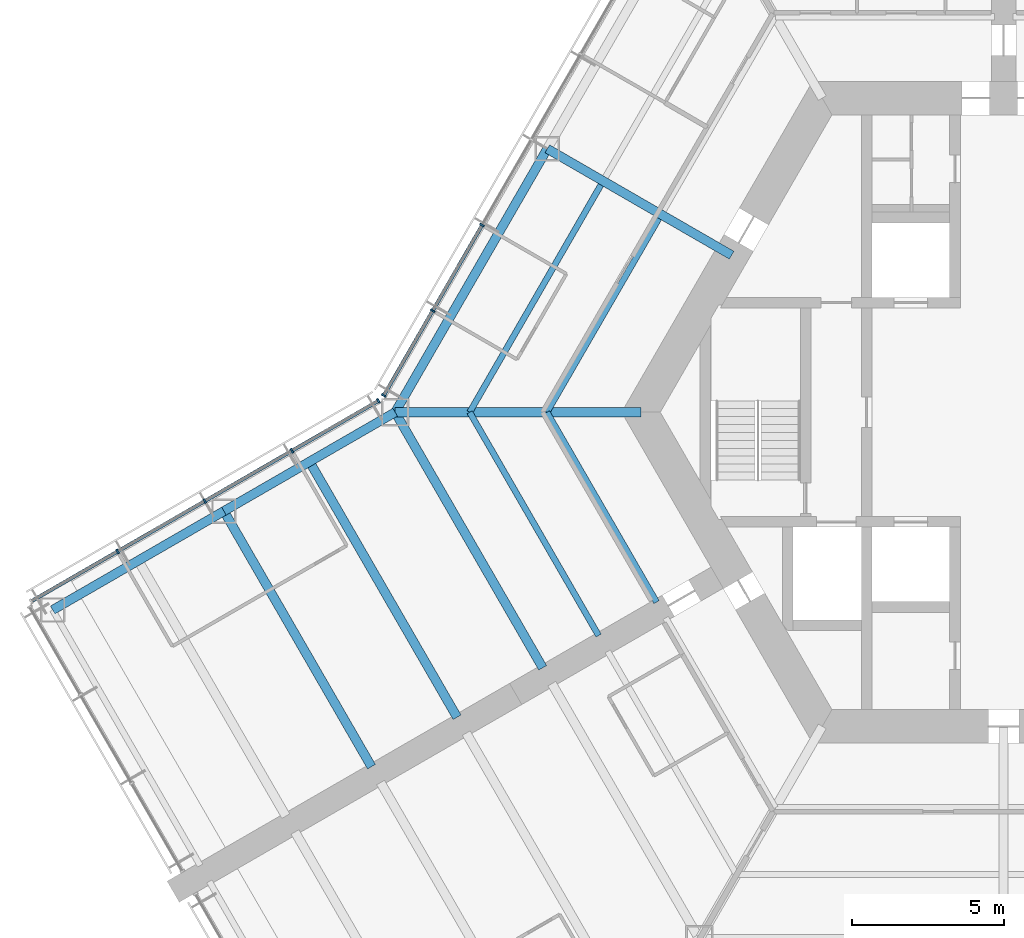
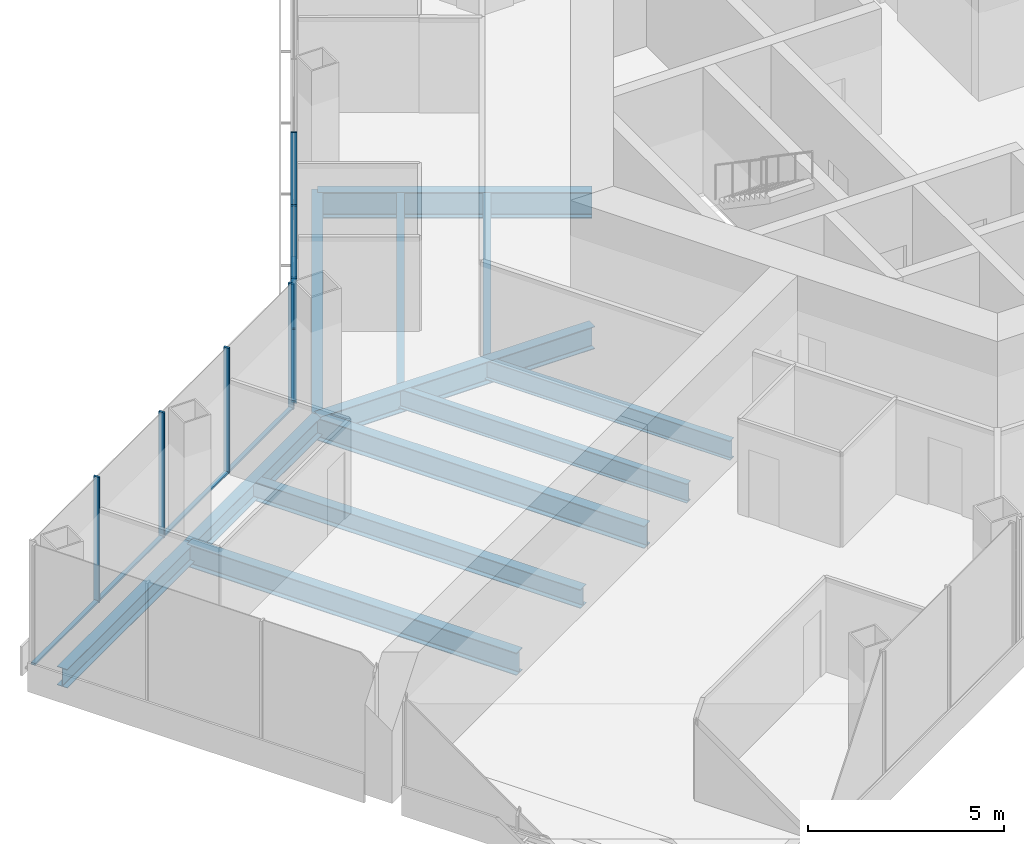
# One storey, part 4 of 18: 13 members, 12 beams, 2 elements without a shape of their own.
"""IFC4 building model written with IfcOpenShell, lengths in metres."""

from ifc_helpers import new_model, si_unit, direction, frame, origin, origin_2d, place, context, subcontext, project, spatial, rectangle, i_section, extrude, material, material_profile, profile_set, type_object, element, aggregate, save


model = new_model("IFC4")

# Units and contexts
model_context = context("Model", 3, precision=1e-05, world=origin(), true_north=direction((0.0, 1.0)))
body_context = subcontext(model_context, "Body", "Model", "MODEL_VIEW")
ifc_project = project(units=[si_unit("LENGTHUNIT", "METRE"), si_unit("AREAUNIT", "SQUARE_METRE"), si_unit("VOLUMEUNIT", "CUBIC_METRE"), si_unit("PLANEANGLEUNIT", "RADIAN"), si_unit("MASSUNIT", "GRAM", prefix="KILO")], contexts=[model_context])

# Site, building, storey
site_placement = place(None, origin())
site = spatial("IfcSite", under=ifc_project, at=site_placement, CompositionType="ELEMENT")
building_placement = place(site_placement, origin())
building = spatial("IfcBuilding", under=site, at=building_placement, Name="Kasaneha Research Tower", CompositionType="ELEMENT")
storey_placement = place(building_placement, frame((0.0, 0.0, 65.10009765625)))
storey = spatial("IfcBuildingStorey", under=building, at=storey_placement, Name="L16", CompositionType="ELEMENT", Elevation=65.10009765625)

# Beams
ifc_material_1 = material(Name="Steel SN490B", Category="steel")
ifc_material_profile_1 = material_profile(ifc_material_1, i_section(OverallWidth=0.199951171875, OverallDepth=0.60009765625, WebThickness=0.010986328125, FlangeThickness=0.01708984375, FilletRadius=0.012939453125, at=origin_2d()), Name="H-600x200x11x17")
ifc_profile_set_1 = profile_set([ifc_material_profile_1], Name="Steel SN490B")
beam_type_1 = type_object("IfcBeamType", Name="B1-3 secondary beam H-600x200x11x17", PredefinedType="JOIST", material=ifc_profile_set_1)
beam_1_placement = place(storey_placement, frame((-15.010986328125, 0.0, -0.4501953125), z_axis=(0.499994443168, 0.866028611999, 0.0), x_axis=(-0.866028611999, 0.499994443168, 0.0)))
element("IfcBeam", 1, at=beam_1_placement, inside=storey, type_object=beam_type_1, Name="Secondary beam RS150R1 L16", PredefinedType="JOIST", context=body_context, shape_type="SweptSolid", body=[
    extrude(i_section(OverallWidth=0.199951171875, OverallDepth=0.60009765625, WebThickness=0.010986328125, FlangeThickness=0.01708984375, FilletRadius=0.012939453125, at=origin_2d()), origin(), (0.0, 0.0, 1.0), 7.35546875),
])
beam_2_placement = place(storey_placement, frame((-17.551513671875, 0.0, -0.4501953125), z_axis=(0.5000050195, 0.866022505755, 0.0), x_axis=(-0.866022505755, 0.5000050195, 0.0)))
element("IfcBeam", 2, at=beam_2_placement, inside=storey, type_object=beam_type_1, Name="Secondary beam RS150R2 L16", PredefinedType="JOIST", context=body_context, shape_type="SweptSolid", body=[
    extrude(i_section(OverallWidth=0.199951171875, OverallDepth=0.60009765625, WebThickness=0.010986328125, FlangeThickness=0.01708984375, FilletRadius=0.012939453125, at=origin_2d()), origin(), (0.0, 0.0, 1.0), 8.6259765625),
])
beam_3_placement = place(storey_placement, frame((-15.010986328125, 0.0, -0.4501953125), z_axis=(0.499972735707, -0.866041144259, 0.0), x_axis=(0.866041144259, 0.499972735707, 0.0)))
element("IfcBeam", 3, at=beam_3_placement, inside=storey, type_object=beam_type_1, Name="Secondary beam RS210L1 L16", PredefinedType="JOIST", context=body_context, shape_type="SweptSolid", body=[
    extrude(i_section(OverallWidth=0.199951171875, OverallDepth=0.60009765625, WebThickness=0.010986328125, FlangeThickness=0.01708984375, FilletRadius=0.012939453125, at=origin_2d()), origin(), (0.0, 0.0, 1.0), 7.20556640625),
])
beam_4_placement = place(storey_placement, frame((-17.551513671875, 0.0, -0.4501953125), z_axis=(0.500020829043, -0.866013377797, 0.0), x_axis=(0.866013377797, 0.500020829043, 0.0)))
element("IfcBeam", 4, at=beam_4_placement, inside=storey, type_object=beam_type_1, Name="Secondary beam RS210L2 L16", PredefinedType="JOIST", context=body_context, shape_type="SweptSolid", body=[
    extrude(i_section(OverallWidth=0.199951171875, OverallDepth=0.60009765625, WebThickness=0.010986328125, FlangeThickness=0.01708984375, FilletRadius=0.012939453125, at=origin_2d()), origin(), (0.0, 0.0, 1.0), 8.475830078125),
])
ifc_material_2 = material(Name="Steel SN490B", Category="steel")
ifc_material_profile_2 = material_profile(ifc_material_2, i_section(OverallWidth=0.300048828125, OverallDepth=0.58203125, WebThickness=0.011962890625, FlangeThickness=0.01708984375, FilletRadius=0.012939453125, at=origin_2d()), Name="H-582x300x12x17")
ifc_profile_set_2 = profile_set([ifc_material_profile_2], Name="Steel SN490B")
beam_type_2 = type_object("IfcBeamType", Name="B2-3 secondary beam H-582x300x12x17", PredefinedType="JOIST", material=ifc_profile_set_2)
beam_5_placement = place(storey_placement, frame((-22.814697265625, -1.625, -0.441162109375), z_axis=(0.500010041276, -0.866019606374, 0.0), x_axis=(0.866019606374, 0.500010041276, 0.0)))
element("IfcBeam", 5, at=beam_5_placement, inside=storey, type_object=beam_type_2, Name="Secondary beam WBBP1 L16", PredefinedType="JOIST", context=body_context, shape_type="SweptSolid", body=[
    extrude(i_section(OverallWidth=0.300048828125, OverallDepth=0.58203125, WebThickness=0.011962890625, FlangeThickness=0.01708984375, FilletRadius=0.012939453125, at=origin_2d()), origin(), (0.0, 0.0, 1.0), 9.699951171875),
])

# Curtain wall, members
ifc_material_3 = material(Name="Glass and aluminium", Category="aluminium")
curtain_wall_type = type_object("IfcCurtainWallType", Name="Low-rise office curtain wall", PredefinedType="USERDEFINED", material=ifc_material_3)
curtain_wall_1_placement = place(storey_placement, origin())
curtain_wall_1 = element("IfcCurtainWall", 6, at=curtain_wall_1_placement, inside=storey, type_object=curtain_wall_type, Name="CW-O1 L16 run 12a", ObjectType="UNITISED CURTAIN WALL", PredefinedType="USERDEFINED")
ifc_material_4 = material(Name="Aluminium 6063-T6", Category="aluminium")
ifc_material_profile_3 = material_profile(ifc_material_4, rectangle(XDim=0.06005859375, YDim=0.159912109375, at=origin_2d()), Name="CW-O1 mullion 60x160")
ifc_profile_set_3 = profile_set([ifc_material_profile_3], Name="Aluminium 6063-T6")
member_type_1 = type_object("IfcMemberType", Name="CW-O1 mullion", PredefinedType="MULLION", material=ifc_profile_set_3)
member_1_placement = place(storey_placement, frame((-17.142822265625, 6.148681640625, 0.0), z_axis=(0.0, 0.0, 1.0), x_axis=(-0.49999996188, -0.866025425793, 0.0)))
member_1 = element("IfcMember", 7, at=member_1_placement, type_object=member_type_1, Name="CW-O1 mullion 5", PredefinedType="MULLION", context=body_context, shape_type="SweptSolid", body=[
    extrude(rectangle(XDim=0.06005859375, YDim=0.159912109375, at=origin_2d()), origin(), (0.0, 0.0, 1.0), 3.89990234375),
])
member_2_placement = place(storey_placement, frame((-18.76611328125, 3.33740234375, 0.0), z_axis=(0.0, 0.0, 1.0), x_axis=(-0.49999996188, -0.866025425793, 0.0)))
member_2 = element("IfcMember", 8, at=member_2_placement, type_object=member_type_1, Name="CW-O1 mullion 6", PredefinedType="MULLION", context=body_context, shape_type="SweptSolid", body=[
    extrude(rectangle(XDim=0.06005859375, YDim=0.159912109375, at=origin_2d()), origin(), (0.0, 0.0, 1.0), 3.89990234375),
])
member_3_placement = place(storey_placement, frame((-20.374267578125, 0.5517578125, 0.0), z_axis=(0.0, 0.0, 1.0), x_axis=(-0.49999996188, -0.866025425793, 0.0)))
member_3 = element("IfcMember", 9, at=member_3_placement, type_object=member_type_1, Name="CW-O1 mullion 7", PredefinedType="MULLION", context=body_context, shape_type="SweptSolid", body=[
    extrude(rectangle(XDim=0.06005859375, YDim=0.159912109375, at=origin_2d()), origin(), (0.0, 0.0, 1.0), 3.89990234375),
])

curtain_wall_2_placement = place(storey_placement, origin())
curtain_wall_2 = element("IfcCurtainWall", 10, at=curtain_wall_2_placement, inside=storey, type_object=curtain_wall_type, Name="CW-O1 L16 run 13a", ObjectType="UNITISED CURTAIN WALL", PredefinedType="USERDEFINED")
member_4_placement = place(storey_placement, frame((-20.5517578125, 0.374267578125, 0.0), z_axis=(0.0, 0.0, 1.0), x_axis=(-0.866025411464, -0.499999986699, 0.0)))
member_4 = element("IfcMember", 11, at=member_4_placement, type_object=member_type_1, Name="CW-O1 mullion 1", PredefinedType="MULLION", context=body_context, shape_type="SweptSolid", body=[
    extrude(rectangle(XDim=0.06005859375, YDim=0.159912109375, at=origin_2d()), origin(), (0.0, 0.0, 1.0), 3.89990234375),
])
member_5_placement = place(storey_placement, frame((-23.39208984375, -1.265625, 0.0), z_axis=(0.0, 0.0, 1.0), x_axis=(-0.866025411464, -0.499999986699, 0.0)))
member_5 = element("IfcMember", 12, at=member_5_placement, type_object=member_type_1, Name="CW-O1 mullion 2", PredefinedType="MULLION", context=body_context, shape_type="SweptSolid", body=[
    extrude(rectangle(XDim=0.06005859375, YDim=0.159912109375, at=origin_2d()), origin(), (0.0, 0.0, 1.0), 3.89990234375),
])
member_6_placement = place(storey_placement, frame((-26.258544921875, -2.920654296875, 0.0), z_axis=(0.0, 0.0, 1.0), x_axis=(-0.866025411464, -0.499999986699, 0.0)))
member_6 = element("IfcMember", 13, at=member_6_placement, type_object=member_type_1, Name="CW-O1 mullion 3", PredefinedType="MULLION", context=body_context, shape_type="SweptSolid", body=[
    extrude(rectangle(XDim=0.06005859375, YDim=0.159912109375, at=origin_2d()), origin(), (0.0, 0.0, 1.0), 3.89990234375),
])
member_7_placement = place(storey_placement, frame((-29.125, -4.575439453125, 0.0), z_axis=(0.0, 0.0, 1.0), x_axis=(-0.866025411464, -0.499999986699, 0.0)))
member_7 = element("IfcMember", 14, at=member_7_placement, type_object=member_type_1, Name="CW-O1 mullion 4", PredefinedType="MULLION", context=body_context, shape_type="SweptSolid", body=[
    extrude(rectangle(XDim=0.06005859375, YDim=0.159912109375, at=origin_2d()), origin(), (0.0, 0.0, 1.0), 3.89990234375),
])

# Member
ifc_material_5 = material(Name="Aluminium 6063-T6", Category="aluminium")
ifc_material_profile_4 = material_profile(ifc_material_5, rectangle(XDim=0.1201171875, YDim=0.06005859375, at=origin_2d()), Name="CW-O1 transom 120x60")
ifc_profile_set_4 = profile_set([ifc_material_profile_4], Name="Aluminium 6063-T6")
member_type_2 = type_object("IfcMemberType", Name="CW-O1 transom", PredefinedType="USERDEFINED", material=ifc_profile_set_4)
member_8_placement = place(storey_placement, frame((-17.15771484375, 6.122802734375, 0.02978515625), z_axis=(-0.500012062035, -0.866018439653, 0.0), x_axis=(0.866018439653, -0.500012062035, 0.0)))
member_8 = element("IfcMember", 15, at=member_8_placement, type_object=member_type_2, Name="CW-O1 transom 5", ObjectType="TRANSOM", PredefinedType="USERDEFINED", context=body_context, shape_type="SweptSolid", body=[
    extrude(rectangle(XDim=0.1201171875, YDim=0.06005859375, at=origin_2d()), origin(), (0.0, 0.0, 1.0), 3.1865234375),
])

member_9_placement = place(storey_placement, frame((-18.781005859375, 3.311279296875, 0.02978515625), z_axis=(-0.499999210213, -0.866025859768, 0.0), x_axis=(0.866025859768, -0.499999210213, 0.0)))
member_9 = element("IfcMember", 16, at=member_9_placement, type_object=member_type_2, Name="CW-O1 transom 6", ObjectType="TRANSOM", PredefinedType="USERDEFINED", context=body_context, shape_type="SweptSolid", body=[
    extrude(rectangle(XDim=0.1201171875, YDim=0.06005859375, at=origin_2d()), origin(), (0.0, 0.0, 1.0), 3.15625),
])

aggregate(curtain_wall_1, [member_1, member_2, member_3, member_8, member_9])

member_10_placement = place(storey_placement, frame((-20.577880859375, 0.359130859375, 0.02978515625), z_axis=(-0.866022692473, -0.500004696101, 0.0), x_axis=(0.500004696101, -0.866022692473, 0.0)))
member_10 = element("IfcMember", 17, at=member_10_placement, type_object=member_type_2, Name="CW-O1 transom 1", ObjectType="TRANSOM", PredefinedType="USERDEFINED", context=body_context, shape_type="SweptSolid", body=[
    extrude(rectangle(XDim=0.1201171875, YDim=0.06005859375, at=origin_2d()), origin(), (0.0, 0.0, 1.0), 3.2197265625),
])

member_11_placement = place(storey_placement, frame((-23.418212890625, -1.28076171875, 0.02978515625), z_axis=(-0.86604797581, -0.499960902066, 0.0), x_axis=(0.499960902066, -0.86604797581, 0.0)))
member_11 = element("IfcMember", 18, at=member_11_placement, type_object=member_type_2, Name="CW-O1 transom 2", ObjectType="TRANSOM", PredefinedType="USERDEFINED", context=body_context, shape_type="SweptSolid", body=[
    extrude(rectangle(XDim=0.1201171875, YDim=0.06005859375, at=origin_2d()), origin(), (0.0, 0.0, 1.0), 3.249755859375),
])

member_12_placement = place(storey_placement, frame((-26.28466796875, -2.935546875, 0.02978515625), z_axis=(-0.86599666273, -0.500049777664, 0.0), x_axis=(0.500049777664, -0.86599666273, 0.0)))
member_12 = element("IfcMember", 19, at=member_12_placement, type_object=member_type_2, Name="CW-O1 transom 3", ObjectType="TRANSOM", PredefinedType="USERDEFINED", context=body_context, shape_type="SweptSolid", body=[
    extrude(rectangle(XDim=0.1201171875, YDim=0.06005859375, at=origin_2d()), origin(), (0.0, 0.0, 1.0), 3.249755859375),
])

member_13_placement = place(storey_placement, frame((-29.15087890625, -4.590576171875, 0.02978515625), z_axis=(-0.866041647767, -0.499971863542, 0.0), x_axis=(0.499971863542, -0.866041647767, 0.0)))
member_13 = element("IfcMember", 20, at=member_13_placement, type_object=member_type_2, Name="CW-O1 transom 4", ObjectType="TRANSOM", PredefinedType="USERDEFINED", context=body_context, shape_type="SweptSolid", body=[
    extrude(rectangle(XDim=0.1201171875, YDim=0.06005859375, at=origin_2d()), origin(), (0.0, 0.0, 1.0), 3.219970703125),
])

aggregate(curtain_wall_2, [member_4, member_5, member_6, member_7, member_10, member_11, member_12, member_13])

# Beams
ifc_material_6 = material(Name="Steel SN490B", Category="steel")
ifc_material_profile_5 = material_profile(ifc_material_6, i_section(OverallWidth=0.300048828125, OverallDepth=0.699951171875, WebThickness=0.012939453125, FlangeThickness=0.02392578125, FilletRadius=0.01806640625, at=origin_2d()), Name="H-700x300x13x24")
ifc_profile_set_5 = profile_set([ifc_material_profile_5], Name="Steel SN490B")
beam_type_3 = type_object("IfcBeamType", Name="G1-3 radial girder H-700x300x13x24", PredefinedType="BEAM", material=ifc_profile_set_5)
beam_6_placement = place(storey_placement, frame((-11.92236328125, 0.0, -0.5), z_axis=(-1.0, 0.0, 0.0), x_axis=(0.0, -1.0, 0.0)))
element("IfcBeam", 21, at=beam_6_placement, inside=storey, type_object=beam_type_3, Name="Radial girder RV180 L16", PredefinedType="BEAM", context=body_context, shape_type="SweptSolid", body=[
    extrude(i_section(OverallWidth=0.300048828125, OverallDepth=0.699951171875, WebThickness=0.012939453125, FlangeThickness=0.02392578125, FilletRadius=0.01806640625, at=origin_2d()), origin(), (0.0, 0.0, 1.0), 8.07763671875),
])
ifc_material_7 = material(Name="Steel SN490B", Category="steel")
ifc_material_profile_6 = material_profile(ifc_material_7, i_section(OverallWidth=0.300048828125, OverallDepth=0.800048828125, WebThickness=0.013916015625, FlangeThickness=0.02587890625, FilletRadius=0.01806640625, at=origin_2d()), Name="H-800x300x14x26")
ifc_profile_set_6 = profile_set([ifc_material_profile_6], Name="Steel SN490B")
beam_type_4 = type_object("IfcBeamType", Name="G2-3 radial girder H-800x300x14x26", PredefinedType="BEAM", material=ifc_profile_set_6)
beam_7_placement = place(storey_placement, frame((-8.941650390625, 5.16259765625, -0.550048828125), z_axis=(-0.866039713508, 0.499975214012, 0.0), x_axis=(-0.499975214012, -0.866039713508, 0.0)))
element("IfcBeam", 22, at=beam_7_placement, inside=storey, type_object=beam_type_4, Name="Radial girder RM150 L16", PredefinedType="BEAM", context=body_context, shape_type="SweptSolid", body=[
    extrude(i_section(OverallWidth=0.300048828125, OverallDepth=0.800048828125, WebThickness=0.013916015625, FlangeThickness=0.02587890625, FilletRadius=0.01806640625, at=origin_2d()), origin(), (0.0, 0.0, 1.0), 6.995361328125),
])
ifc_material_8 = material(Name="Steel SN490B", Category="steel")
ifc_material_profile_7 = material_profile(ifc_material_8, i_section(OverallWidth=0.300048828125, OverallDepth=0.69189453125, WebThickness=0.012939453125, FlangeThickness=0.02001953125, FilletRadius=0.01806640625, at=origin_2d()), Name="H-692x300x13x20")
ifc_profile_set_7 = profile_set([ifc_material_profile_7], Name="Steel SN490B")
beam_type_5 = type_object("IfcBeamType", Name="G3-3 plate edge girder H-692x300x13x20", PredefinedType="BEAM", material=ifc_profile_set_7)
beam_8_placement = place(storey_placement, frame((-20.0, 0.0, -0.49609375), z_axis=(0.500010041276, -0.866019606374, 0.0), x_axis=(0.866019606374, 0.500010041276, 0.0)))
element("IfcBeam", 23, at=beam_8_placement, inside=storey, type_object=beam_type_5, Name="Plate edge girder PEBP L16", PredefinedType="BEAM", context=body_context, shape_type="SweptSolid", body=[
    extrude(i_section(OverallWidth=0.300048828125, OverallDepth=0.69189453125, WebThickness=0.012939453125, FlangeThickness=0.02001953125, FilletRadius=0.01806640625, at=origin_2d()), origin(), (0.0, 0.0, 1.0), 9.699951171875),
])
ifc_material_9 = material(Name="Steel SN490B", Category="steel")
ifc_material_profile_8 = material_profile(ifc_material_9, i_section(OverallWidth=0.300048828125, OverallDepth=0.699951171875, WebThickness=0.012939453125, FlangeThickness=0.02392578125, FilletRadius=0.01806640625, at=origin_2d()), Name="H-700x300x13x24")
ifc_profile_set_8 = profile_set([ifc_material_profile_8], Name="Steel SN490B")
beam_type_6 = type_object("IfcBeamType", Name="G4-3 wing girder H-700x300x13x24", PredefinedType="BEAM", material=ifc_profile_set_8)
beam_9_placement = place(storey_placement, frame((-25.629150390625, -3.25, -0.5), z_axis=(0.500010041276, -0.866019606374, 0.0), x_axis=(0.866019606374, 0.500010041276, 0.0)))
element("IfcBeam", 24, at=beam_9_placement, inside=storey, type_object=beam_type_6, Name="Wing girder WGBP L16", PredefinedType="BEAM", context=body_context, shape_type="SweptSolid", body=[
    extrude(i_section(OverallWidth=0.300048828125, OverallDepth=0.699951171875, WebThickness=0.012939453125, FlangeThickness=0.02392578125, FilletRadius=0.01806640625, at=origin_2d()), origin(), (0.0, 0.0, 1.0), 9.699951171875),
])
ifc_material_10 = material(Name="Steel SN490B", Category="steel")
ifc_material_profile_9 = material_profile(ifc_material_10, i_section(OverallWidth=0.300048828125, OverallDepth=0.69189453125, WebThickness=0.012939453125, FlangeThickness=0.02001953125, FilletRadius=0.01806640625, at=origin_2d()), Name="H-692x300x13x20")
ifc_profile_set_9 = profile_set([ifc_material_profile_9], Name="Steel SN490B")
beam_type_7 = type_object("IfcBeamType", Name="SB1-3 spandrel beam H-692x300x13x20", PredefinedType="SPANDREL", material=ifc_profile_set_9)
beam_10_placement = place(storey_placement, frame((-20.0, 0.0, -0.49609375), z_axis=(0.500004234368, 0.866022959057, 0.0), x_axis=(-0.866022959057, 0.500004234368, 0.0)))
element("IfcBeam", 25, at=beam_10_placement, inside=storey, type_object=beam_type_7, Name="Spandrel beam SR150R L16", PredefinedType="SPANDREL", context=body_context, shape_type="SweptSolid", body=[
    extrude(i_section(OverallWidth=0.300048828125, OverallDepth=0.69189453125, WebThickness=0.012939453125, FlangeThickness=0.02001953125, FilletRadius=0.01806640625, at=origin_2d()), origin(), (0.0, 0.0, 1.0), 10.0),
])
ifc_material_11 = material(Name="Steel SN490B", Category="steel")
ifc_material_profile_10 = material_profile(ifc_material_11, i_section(OverallWidth=0.300048828125, OverallDepth=0.58203125, WebThickness=0.011962890625, FlangeThickness=0.01708984375, FilletRadius=0.012939453125, at=origin_2d()), Name="H-582x300x12x17")
ifc_profile_set_10 = profile_set([ifc_material_profile_10], Name="Steel SN490B")
beam_type_8 = type_object("IfcBeamType", Name="SB2-3 spandrel beam H-582x300x12x17", PredefinedType="SPANDREL", material=ifc_profile_set_10)
for number, where, z_axis, x_axis, name in (
    (26, (-20.0, 0.0, -0.441162109375), (-0.866024837091, -0.50000098154, 0.0), (0.50000098154, -0.866024837091, 0.0), "Spandrel beam WSBP1 L16"),
    (27, (-25.629150390625, -3.25, -0.441162109375), (-0.866024837091, -0.50000098154, 0.0), (0.50000098154, -0.866024837091, 0.0), "Spandrel beam WSBP2 L16"),
):
    element("IfcBeam", number, at=place(storey_placement, frame(where, z_axis=z_axis, x_axis=x_axis)), inside=storey, type_object=beam_type_8, Name=name, PredefinedType="SPANDREL", context=body_context, shape_type="SweptSolid", body=[
        extrude(i_section(OverallWidth=0.300048828125, OverallDepth=0.58203125, WebThickness=0.011962890625, FlangeThickness=0.01708984375, FilletRadius=0.012939453125, at=origin_2d()), origin(), (0.0, 0.0, 1.0), 6.5),
    ])

save(model, "model.ifc")
